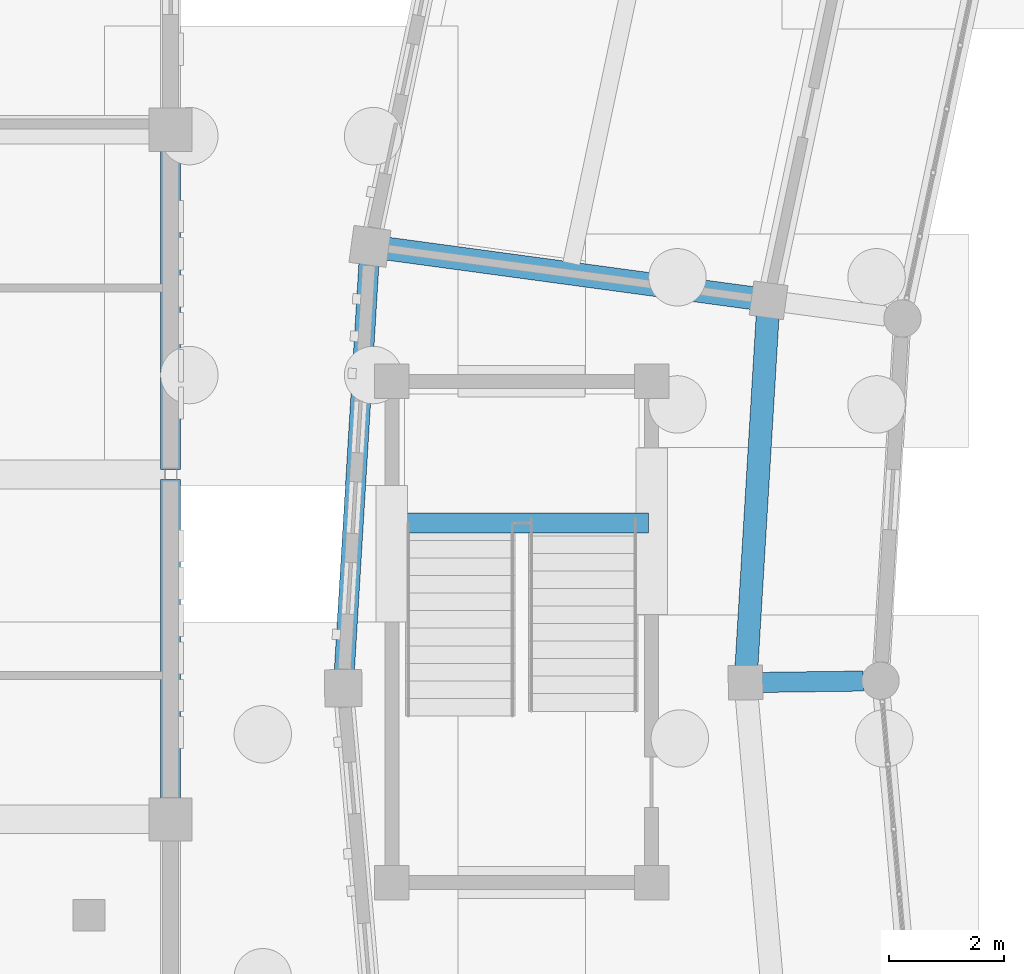
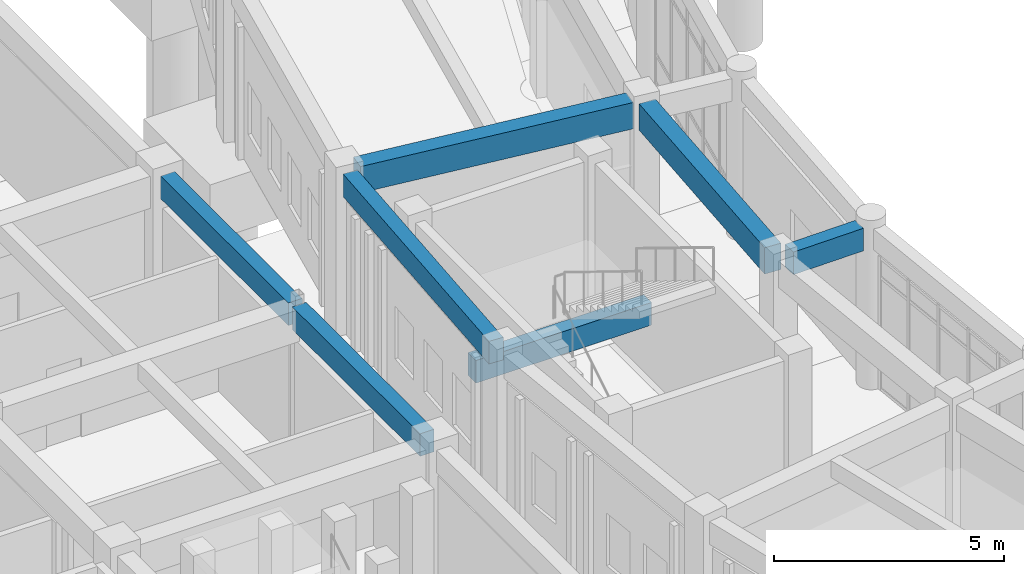
# One storey, part 35 of 153: 7 beams.
"""IFC4 building model written with IfcOpenShell, lengths in metres."""

from ifc_helpers import new_model, si_unit, direction, frame, origin, origin_2d, place, context, subcontext, project, spatial, rectangle, extrude, material, material_profile, profile_set, type_object, element, save


model = new_model("IFC4")

# Units and contexts
model_context = context("Model", 3, precision=1e-05, world=origin(), true_north=direction((0.0, 1.0)))
body_context = subcontext(model_context, "Body", "Model", "MODEL_VIEW")
ifc_project = project(units=[si_unit("LENGTHUNIT", "METRE"), si_unit("AREAUNIT", "SQUARE_METRE"), si_unit("VOLUMEUNIT", "CUBIC_METRE"), si_unit("PLANEANGLEUNIT", "RADIAN"), si_unit("MASSUNIT", "GRAM", prefix="KILO")], contexts=[model_context])

# Site, building, storey
site_placement = place(None, origin())
site = spatial("IfcSite", under=ifc_project, at=site_placement, CompositionType="ELEMENT")
building_placement = place(site_placement, origin())
building = spatial("IfcBuilding", under=site, at=building_placement, Name="Celadon Cloister-Ring School", CompositionType="ELEMENT")
storey_placement = place(building_placement, origin())
storey = spatial("IfcBuildingStorey", under=building, at=storey_placement, Name="L00", CompositionType="ELEMENT", Elevation=0.0)

# Beams
ifc_material_1 = material(Name="Concrete C35/45", Category="concrete")
ifc_material_profile_1 = material_profile(ifc_material_1, rectangle(XDim=0.35009765625, YDim=0.60009765625, at=origin_2d()), Name="RC350X600")
ifc_profile_set_1 = profile_set([ifc_material_profile_1], Name="Concrete C35/45")
beam_type_1 = type_object("IfcBeamType", Name="BT-02", PredefinedType="BEAM", material=ifc_profile_set_1)
beam_1_placement = place(storey_placement, frame((42.279052734375, 58.382080078125, 3.97998046875), z_axis=(0.999909156439, 0.013478830444, 0.0), x_axis=(-0.013478830444, 0.999909156439, 0.0)))
element("IfcBeam", 1, at=beam_1_placement, inside=storey, type_object=beam_type_1, Name="Beam 0015", PredefinedType="BEAM", context=body_context, shape_type="SweptSolid", body=[
    extrude(rectangle(XDim=0.35009765625, YDim=0.60009765625, at=origin_2d()), origin(), (0.0, 0.0, 1.0), 1.775146484375),
])
for number, where, z_axis, x_axis, name in (
    (2, (32.0, 56.35009765625, 3.93994140625), (0.0, 1.0, 0.0), (-1.0, 0.0, 0.0), "Beam 1506"),
    (3, (32.0, 62.0849609375, 3.93994140625), (0.0, 1.0, 0.0), (-1.0, 0.0, 0.0), "Beam 1507"),
):
    element("IfcBeam", number, at=place(storey_placement, frame(where, z_axis=z_axis, x_axis=x_axis)), inside=storey, type_object=beam_type_1, Name=name, PredefinedType="BEAM", context=body_context, shape_type="SweptSolid", body=[
        extrude(rectangle(XDim=0.35009765625, YDim=0.60009765625, at=origin_2d()), origin(), (0.0, 0.0, 1.0), 5.56494140625),
    ])
beam_2_placement = place(storey_placement, frame((35.89990234375, 61.155029296875, 1.64990234375), z_axis=(1.0, 0.0, 0.0), x_axis=(0.0, 1.0, 0.0)))
element("IfcBeam", 4, at=beam_2_placement, inside=storey, type_object=beam_type_1, Name="Stair Landing Beam 1754", PredefinedType="BEAM", context=body_context, shape_type="SweptSolid", body=[
    extrude(rectangle(XDim=0.35009765625, YDim=0.60009765625, at=origin_2d()), origin(), (0.0, 0.0, 1.0), 4.420166015625),
])
ifc_material_2 = material(Name="Concrete C35/45", Category="concrete")
ifc_material_profile_2 = material_profile(ifc_material_2, rectangle(XDim=0.39990234375, YDim=0.699951171875, at=origin_2d()), Name="RC400X700")
ifc_profile_set_2 = profile_set([ifc_material_profile_2], Name="Concrete C35/45")
beam_type_2 = type_object("IfcBeamType", Name="GT-03", PredefinedType="USERDEFINED", material=ifc_profile_set_2)
beam_3_placement = place(storey_placement, frame((35.76611328125, 65.930908203125, 3.929931640625), z_axis=(0.990963103676, -0.134134735073, 0.0), x_axis=(0.134134735073, 0.990963103676, 0.0)))
element("IfcBeam", 5, at=beam_3_placement, inside=storey, type_object=beam_type_2, Name="Beam 0013", ObjectType="GIRDER", PredefinedType="USERDEFINED", context=body_context, shape_type="SweptSolid", body=[
    extrude(rectangle(XDim=0.39990234375, YDim=0.699951171875, at=origin_2d()), origin(), (0.0, 0.0, 1.0), 6.425048828125),
])
beam_4_placement = place(storey_placement, frame((42.388916015625, 64.758056640625, 3.929931640625), z_axis=(-0.060146806865, -0.998189541933, 0.0), x_axis=(0.998189541933, -0.060146806865, 0.0)))
element("IfcBeam", 6, at=beam_4_placement, inside=storey, type_object=beam_type_2, Name="Beam 0094", ObjectType="GIRDER", PredefinedType="USERDEFINED", context=body_context, shape_type="SweptSolid", body=[
    extrude(rectangle(XDim=0.39990234375, YDim=0.699951171875, at=origin_2d()), origin(), (0.0, 0.0, 1.0), 6.116943359375),
])
ifc_material_3 = material(Name="Concrete C35/45", Category="concrete")
ifc_material_profile_3 = material_profile(ifc_material_3, rectangle(XDim=0.35009765625, YDim=0.60009765625, at=origin_2d()), Name="RC350X600")
ifc_profile_set_3 = profile_set([ifc_material_profile_3], Name="Concrete C35/45")
beam_type_3 = type_object("IfcBeamType", Name="SP-01", PredefinedType="SPANDREL", material=ifc_profile_set_3)
beam_5_placement = place(storey_placement, frame((35.450927734375, 65.672119140625, 3.97998046875), z_axis=(-0.060236729714, -0.998184119486, 0.0), x_axis=(0.998184119486, -0.060236729714, 0.0)))
element("IfcBeam", 7, at=beam_5_placement, inside=storey, type_object=beam_type_3, Name="Beam 0093", PredefinedType="SPANDREL", context=body_context, shape_type="SweptSolid", body=[
    extrude(rectangle(XDim=0.35009765625, YDim=0.60009765625, at=origin_2d()), origin(), (0.0, 0.0, 1.0), 7.10498046875),
])

save(model, "model.ifc")
